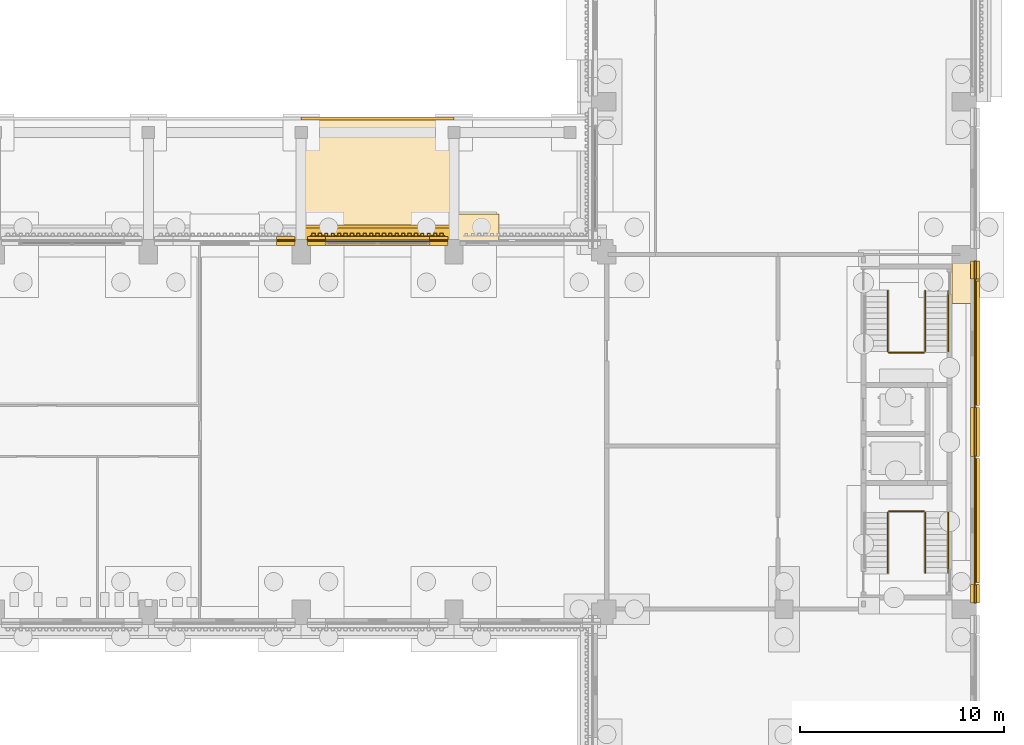
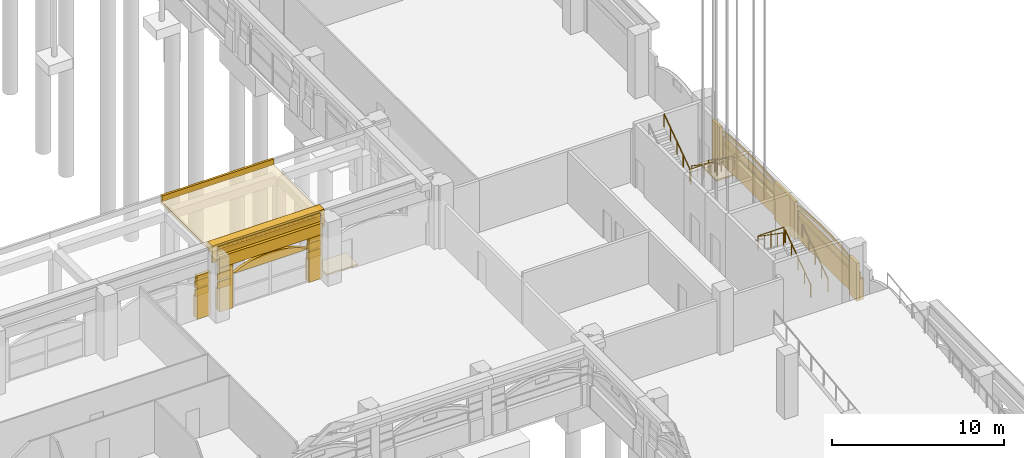
# One storey, part 85 of 99: 35 coverings, 8 railings, 1 element without a shape of its own.
"""IFC4 building model written with IfcOpenShell, lengths in metres."""

import ifcopenshell
import ifcopenshell.guid

model = None  # the IFC model being written
_history = None  # IfcOwnerHistory: only IFC2X3 demands one
_inside = {}  # id of a spatial element -> (the spatial element, [elements in it])
_under = {}  # id of a project, library or spatial element -> (it, [spatial elements below it])
_declared = {}  # id of a project -> (the project, [libraries it declares])
_typed = {}  # id of a type object -> (the type object, [elements of that type])
_made_of = {}  # id of a material, layer set ... -> (it, [elements and type objects made of it])


def new_model(schema):
    """Start an empty IFC model of exactly this schema.

    Asked for "IFC4X3", IfcOpenShell would pick the latest addendum, in which some entities
    have other attributes; the version numbers below select the first issue.
    IFC2X3 requires an IfcOwnerHistory on every rooted entity: one is made here for all.
    """
    global model, _history
    if schema == "IFC4X3":
        model = ifcopenshell.file(schema_version=(4, 3, 0, 0))
    else:
        model = ifcopenshell.file(schema=schema)
    _inside.clear()
    _under.clear()
    _declared.clear()
    _typed.clear()
    _made_of.clear()
    _history = None
    if model.schema == "IFC2X3":
        org = make("IfcOrganization", Name="unknown")
        user = make(
            "IfcPersonAndOrganization",
            ThePerson=make("IfcPerson", FamilyName="unknown"),
            TheOrganization=org,
        )
        app = make(
            "IfcApplication",
            ApplicationDeveloper=org,
            Version="unknown",
            ApplicationFullName="unknown",
            ApplicationIdentifier="unknown",
        )
        _history = make(
            "IfcOwnerHistory",
            OwningUser=user,
            OwningApplication=app,
            ChangeAction="ADDED",
            CreationDate=0,
        )
    return model


def make(cls, **values):
    """One entity of the class cls with the attributes given. An attribute that is None is left unset."""
    return model.create_entity(
        cls, **{name: value for name, value in values.items() if value is not None}
    )


def rooted(cls, **values):
    """An entity with a GlobalId (a new one), such as an element, a storey or a relation."""
    return make(cls, GlobalId=ifcopenshell.guid.new(), OwnerHistory=_history, **values)


def si_unit(unit_type, name, prefix=None):
    """IfcSIUnit, for example si_unit("LENGTHUNIT", "METRE", prefix="MILLI")."""
    return make("IfcSIUnit", UnitType=unit_type, Prefix=prefix, Name=name)


def assignment(units):
    """IfcUnitAssignment: the units of a project."""
    return None if units is None else make("IfcUnitAssignment", Units=units)


def point(xyz):
    """IfcCartesianPoint."""
    return None if xyz is None else make("IfcCartesianPoint", Coordinates=xyz)


def direction(xyz):
    """IfcDirection."""
    return None if xyz is None else make("IfcDirection", DirectionRatios=xyz)


def frame(location, z_axis=None, x_axis=None):
    """IfcAxis2Placement3D, a coordinate frame: its origin and axes. An axis left out is left unset."""
    return make(
        "IfcAxis2Placement3D",
        Location=point(location),
        Axis=direction(z_axis),
        RefDirection=direction(x_axis),
    )


def frame_2d(location, x_axis=None):
    """IfcAxis2Placement2D, a coordinate frame in the plane: its origin and x axis."""
    return make(
        "IfcAxis2Placement2D", Location=point(location), RefDirection=direction(x_axis)
    )


def origin():
    """The frame at (0, 0, 0) with its axes left unset."""
    return frame((0.0, 0.0, 0.0))


def origin_2d():
    """The frame at (0, 0) in the plane with its x axis left unset."""
    return frame_2d((0.0, 0.0))


def place(relative_to, where):
    """IfcLocalPlacement: puts the frame where relative to a parent placement (None: the world)."""
    return make(
        "IfcLocalPlacement", PlacementRelTo=relative_to, RelativePlacement=where
    )


def context(
    kind, dimensions, precision=None, world=None, true_north=None, identifier=None
):
    """IfcGeometricRepresentationContext, for example the 3D "Model" context."""
    return make(
        "IfcGeometricRepresentationContext",
        ContextIdentifier=identifier,
        ContextType=kind,
        CoordinateSpaceDimension=dimensions,
        Precision=precision,
        WorldCoordinateSystem=world,
        TrueNorth=true_north,
    )


def subcontext(parent, identifier, kind, view, scale=None):
    """IfcGeometricRepresentationSubContext, for example "Body" below "Model"."""
    return make(
        "IfcGeometricRepresentationSubContext",
        ContextIdentifier=identifier,
        ContextType=kind,
        ParentContext=parent,
        TargetScale=scale,
        TargetView=view,
    )


def project(units=None, contexts=None):
    """IfcProject with its units and contexts."""
    return rooted(
        "IfcProject",
        Name="project",
        RepresentationContexts=contexts,
        UnitsInContext=assignment(units),
    )


def spatial(cls, under=None, at=None, **own):
    """A site, building, storey or space (cls), placed at a placement, below another one or the project."""
    s = rooted(cls, ObjectPlacement=at, **own)
    if under is not None:
        _under.setdefault(under.id(), (under, []))[1].append(s)
    return s


def polyline(points):
    """IfcPolyline through the points."""
    return make("IfcPolyline", Points=[point(p) for p in points])


def profile(cls, at=None, kind="AREA", **sizes):
    """A parametric profile (cls). Its sizes go by their IFC names, for example OverallWidth=200.0."""
    return make(cls, ProfileType=kind, Position=at, **sizes)


def circle(**sizes):
    """IfcCircleProfileDef."""
    return profile("IfcCircleProfileDef", **sizes)


def outline(outer, holes=None, kind="AREA"):
    """IfcArbitraryClosedProfileDef: a profile drawn as a closed curve; with holes, ...WithVoids."""
    if holes is None:
        return make("IfcArbitraryClosedProfileDef", ProfileType=kind, OuterCurve=outer)
    return make(
        "IfcArbitraryProfileDefWithVoids",
        ProfileType=kind,
        OuterCurve=outer,
        InnerCurves=holes,
    )


def extrude(swept, where, along, depth):
    """IfcExtrudedAreaSolid: the profile swept, set in the frame where, extruded along a direction by depth."""
    return make(
        "IfcExtrudedAreaSolid",
        SweptArea=swept,
        Position=where,
        ExtrudedDirection=direction(along),
        Depth=depth,
    )


def shape(context_of_items, identifier, shape_type, items):
    """IfcShapeRepresentation: the items that make up one representation, for example the "Body"."""
    return make(
        "IfcShapeRepresentation",
        ContextOfItems=context_of_items,
        RepresentationIdentifier=identifier,
        RepresentationType=shape_type,
        Items=items,
    )


def material(Name=None, Category=None):
    """IfcMaterial."""
    return make("IfcMaterial", Name=Name, Category=Category)


def layer(
    of_material, thickness, ventilated=None, Name=None, Category=None, Priority=None
):
    """IfcMaterialLayer: one layer of a wall or slab, of a material (None: an air gap)."""
    return make(
        "IfcMaterialLayer",
        Material=of_material,
        LayerThickness=thickness,
        IsVentilated=ventilated,
        Name=Name,
        Category=Category,
        Priority=Priority,
    )


def layer_set(layers, Name=None):
    """IfcMaterialLayerSet."""
    return make("IfcMaterialLayerSet", MaterialLayers=layers, LayerSetName=Name)


def made_of(thing, what):
    """Note that an element or type object is made of a material, layer set ...; save() writes the relation."""
    if what is not None:
        _made_of.setdefault(what.id(), (what, []))[1].append(thing)
    return thing


def type_object(cls, material=None, **own):
    """A type object (cls), such as IfcWallType, which elements share."""
    return made_of(rooted(cls, **own), material)


def element(
    cls,
    number,
    at=None,
    inside=None,
    cuts=None,
    type_object=None,
    material=None,
    context=None,
    identifier="Body",
    shape_type=None,
    held_by="IfcProductDefinitionShape",
    body=None,
    shapes=None,
    **own,
):
    """One element of the class cls, such as IfcWall. Its Tag is "e" and its number.

    at: its placement. inside: the storey or other place that contains it. cuts: it is an
    opening in that element (IfcRelVoidsElement). A single representation is given by context,
    identifier, shape_type and body (its items); several are given by shapes. held_by: the class
    of the entity that holds the representations. save() writes the other relations.
    """
    e = rooted(cls, Tag="e%d" % number, ObjectPlacement=at, **own)
    if body is not None:
        shapes = [shape(context, identifier, shape_type, body)]
    if shapes is not None:
        e.Representation = make(held_by, Representations=shapes)
    if inside is not None:
        _inside.setdefault(inside.id(), (inside, []))[1].append(e)
    if cuts is not None:
        rooted(
            "IfcRelVoidsElement", RelatingBuildingElement=cuts, RelatedOpeningElement=e
        )
    if type_object is not None:
        _typed.setdefault(type_object.id(), (type_object, []))[1].append(e)
    return made_of(e, material)


def aggregate(whole, parts):
    """IfcRelAggregates: a whole, such as a stair, and the parts it consists of."""
    return rooted("IfcRelAggregates", RelatingObject=whole, RelatedObjects=parts)


def save(model, path):
    """Write the relations noted so far, then the file.

    IfcRelAggregates (storeys below a building ...), IfcRelContainedInSpatialStructure (elements
    in a storey), IfcRelDefinesByType, IfcRelAssociatesMaterial and IfcRelDeclares: one each for
    every whole, place, type object, material and project.
    """
    for whole, parts in _under.values():
        aggregate(whole, parts)
    for where, things in _inside.values():
        rooted(
            "IfcRelContainedInSpatialStructure",
            RelatedElements=things,
            RelatingStructure=where,
        )
    for kind, things in _typed.values():
        rooted("IfcRelDefinesByType", RelatedObjects=things, RelatingType=kind)
    for what, things in _made_of.values():
        rooted("IfcRelAssociatesMaterial", RelatedObjects=things, RelatingMaterial=what)
    for by, libraries in _declared.values():
        rooted("IfcRelDeclares", RelatingContext=by, RelatedDefinitions=libraries)
    model.write(path)


model = new_model("IFC4")

# Units and contexts
model_context = context("Model", 3, precision=1e-05, world=origin(), true_north=direction((0.0, 1.0)))
body_context = subcontext(model_context, "Body", "Model", "MODEL_VIEW")
ifc_project = project(units=[si_unit("LENGTHUNIT", "METRE"), si_unit("AREAUNIT", "SQUARE_METRE"), si_unit("VOLUMEUNIT", "CUBIC_METRE"), si_unit("PLANEANGLEUNIT", "RADIAN"), si_unit("MASSUNIT", "GRAM", prefix="KILO")], contexts=[model_context])

# Site, building, storey
site_placement = place(None, origin())
site = spatial("IfcSite", under=ifc_project, at=site_placement, CompositionType="ELEMENT")
building_placement = place(site_placement, origin())
building = spatial("IfcBuilding", under=site, at=building_placement, Name="Cour d'Honneur Mobility Palace", CompositionType="ELEMENT")
storey_placement = place(building_placement, origin())
storey = spatial("IfcBuildingStorey", under=building, at=storey_placement, Name="L00", CompositionType="ELEMENT", Elevation=0.0)

# Roof, coverings
ifc_material_1 = material(Name="Concrete C50", Category="concrete")
ifc_layer_1 = layer(ifc_material_1, 0.199951171875)
ifc_layer_set_1 = layer_set([ifc_layer_1], Name="Concrete C50")
roof_type = type_object("IfcRoofType", Name="Arcade canopy", PredefinedType="FLAT_ROOF", material=ifc_layer_set_1)
roof_placement = place(storey_placement, origin())
roof = element("IfcRoof", 1, at=roof_placement, inside=storey, type_object=roof_type, Name="Arcade canopy E", PredefinedType="FLAT_ROOF")
ifc_material_2 = material(Name="Concrete C50", Category="concrete")
ifc_layer_2 = layer(ifc_material_2, 0.199951171875)
ifc_layer_set_2 = layer_set([ifc_layer_2], Name="Concrete C50")
covering_type_1 = type_object("IfcCoveringType", Name="Arcade canopy slab 200", PredefinedType="ROOFING", material=ifc_layer_set_2)
covering_1_placement = place(storey_placement, frame((0.0, 0.0, 4.0)))
covering_1 = element("IfcCovering", 2, at=covering_1_placement, type_object=covering_type_1, Name="Arcade canopy slab AS-E5", PredefinedType="ROOFING", context=body_context, shape_type="SweptSolid", body=[
    extrude(outline(polyline([(129.89990234375, 63.14990234375), (137.39990234375, 63.14990234375), (137.39990234375, 69.14990234375), (129.89990234375, 69.14990234375), (129.89990234375, 63.14990234375)])), origin(), (0.0, 0.0, 1.0), 0.199951171875),
])
ifc_material_3 = material(Name="Concrete C50", Category="concrete")
ifc_layer_3 = layer(ifc_material_3, 0.14990234375)
ifc_layer_set_3 = layer_set([ifc_layer_3], Name="Concrete C50")
covering_type_2 = type_object("IfcCoveringType", Name="Arcade parapet 400", PredefinedType="CLADDING", material=ifc_layer_set_3)
covering_2_placement = place(storey_placement, frame((0.0, 0.0, 4.199951171875)))
covering_2 = element("IfcCovering", 3, at=covering_2_placement, type_object=covering_type_2, Name="Arcade parapet AP-E5", PredefinedType="CLADDING", context=body_context, shape_type="SweptSolid", body=[
    extrude(outline(polyline([(129.89990234375, 69.0), (137.39990234375, 69.0), (137.39990234375, 69.14990234375), (129.89990234375, 69.14990234375), (129.89990234375, 69.0)])), origin(), (0.0, 0.0, 1.0), 0.400146484375),
])
aggregate(roof, [covering_1, covering_2])

# Coverings
ifc_material_4 = material(Name="Cast limestone", Category="masonry")
ifc_layer_4 = layer(ifc_material_4, 0.050048828125)
ifc_layer_set_4 = layer_set([ifc_layer_4], Name="Cast limestone")
covering_type_3 = type_object("IfcCoveringType", Name="Arch hood", PredefinedType="CLADDING", material=ifc_layer_set_4)
covering_3_placement = place(storey_placement, frame((163.0, 46.199951171875, 2.179931640625), z_axis=(1.0, 0.0, 0.0), x_axis=(0.0, 0.989021640931, 0.147770747343)))
element("IfcCovering", 4, at=covering_3_placement, inside=storey, type_object=covering_type_3, Name="Arch hood AH-36", PredefinedType="CLADDING", context=body_context, shape_type="SweptSolid", body=[
    extrude(outline(polyline([(0.0, 0.0), (0.3981700822586031, 0.0), (0.7951857055535886, -0.007726731569772757), (1.1910107930423435, -0.023421655070873654), (1.585403884363312, -0.04704869366068967), (1.9789200539248315, -0.07819708030133607), (2.3712817645227338, -0.11707219851175524), (2.7624529393144046, -0.16391550865350255), (3.1525057319850713, -0.2182440900034672), (3.5411626053305647, -0.28026332608059157), (3.9289425569166094, -0.3498039102085464), (4.315531972696423, -0.42731268626782937), (4.700966929512619, -0.512548193896885), (5.08528350420781, -0.605268972734158), (5.4681680827352155, -0.7059218666601461), (5.850103585817947, -0.8145790293600754), (6.2308846299370595, -0.9309629236297775), (6.263389865131418, -0.7134071378683634), (5.882644897854918, -0.5967817832371061), (5.500673317929575, -0.488366080898732), (5.11778873940217, -0.387713186972744), (4.7335082415495915, -0.2947509477739155), (4.348037207890782, -0.20975690050641527), (3.961447792110968, -0.1322481244471323), (3.573667840524924, -0.06270754031917747), (3.18501096717943, -0.0006883042420531282), (2.7949581745087637, 0.05364027710791153), (2.4037869997170924, 0.10048358724965883), (2.0114252891191904, 0.139358705460078), (1.6179451964002838, 0.17074855246227982), (1.2235160282367024, 0.19413413069054042), (0.8276909407479474, 0.20982905419164133), (0.430711394295575, 0.21779724612296947), (0.03250523519435883, 0.21755578576141407), (0.0, 0.0)])), origin(), (0.0, 0.0, -1.0), 0.050048828125),
])
covering_4_placement = place(storey_placement, frame((163.0, 54.89990234375, 2.179931640625), z_axis=(1.0, 0.0, 0.0), x_axis=(0.0, 0.989021640931, 0.147770747343)))
element("IfcCovering", 5, at=covering_4_placement, inside=storey, type_object=covering_type_3, Name="Arch hood AH-37", PredefinedType="CLADDING", context=body_context, shape_type="SweptSolid", body=[
    extrude(outline(polyline([(0.0, 0.0), (0.3981700822586031, 0.0), (0.7951857055535886, -0.007726731569772757), (1.1910107930423435, -0.023421655070873654), (1.5856453447248675, -0.04708477050330273), (1.9789200539248315, -0.07819708030133607), (2.3712817645227338, -0.11707219851175524), (2.7624529393144046, -0.16391550865350255), (3.1525057319850713, -0.2182440900034672), (3.54140406569212, -0.28029940292320465), (3.9289425569166094, -0.3498039102085464), (4.315531972696423, -0.42731268626782937), (4.700966929512619, -0.512548193896885), (5.08528350420781, -0.605268972734158), (5.468409543096771, -0.7059579435027592), (5.850103585817947, -0.8145790293600754), (6.2308846299370595, -0.9309629236297775), (6.263389865131418, -0.7134071378683634), (5.882644897854918, -0.5967817832371061), (5.500914778291131, -0.4884021577413451), (5.11778873940217, -0.387713186972744), (4.7335082415495915, -0.2947509477739155), (4.348037207890782, -0.20975690050641527), (3.961447792110968, -0.1322481244471323), (3.5739093008864793, -0.06274361716179055), (3.18501096717943, -0.0006883042420531282), (2.7949581745087637, 0.05364027710791153), (2.4037869997170924, 0.10048358724965883), (2.0114252891191904, 0.139358705460078), (1.6181866567618393, 0.17071247561966676), (1.2235160282367024, 0.19413413069054042), (0.8276909407479474, 0.20982905419164133), (0.430711394295575, 0.21779724612296947), (0.03250523519435883, 0.21755578576141407), (0.0, 0.0)])), origin(), (0.0, 0.0, -1.0), 0.050048828125),
])
ifc_material_5 = material(Name="Cast limestone", Category="masonry")
ifc_layer_5 = layer(ifc_material_5, 0.199951171875)
ifc_layer_set_5 = layer_set([ifc_layer_5], Name="Cast limestone")
covering_type_4 = type_object("IfcCoveringType", Name="Arch tympanum panel", PredefinedType="CLADDING", material=ifc_layer_set_5)
covering_5_placement = place(storey_placement, frame((136.199951171875, 63.050048828125, 2.39990234375), z_axis=(0.0, 1.0, 0.0), x_axis=(-1.0, 0.0, 0.0)))
element("IfcCovering", 6, at=covering_5_placement, inside=storey, type_object=covering_type_4, Name="Arch tympanum panel TP-7", PredefinedType="CLADDING", context=body_context, shape_type="SweptSolid", body=[
    extrude(outline(polyline([(0.0, 0.0), (5.099853515625, 0.0), (5.099853515625, 0.0), (4.78125, 0.160400390625), (4.46240234375, 0.294921875), (4.143798828125, 0.406005859375), (3.824951171875, 0.495361328125), (3.506103515625, 0.5634765625), (3.1875, 0.61181640625), (2.86865234375, 0.640625), (2.550048828125, 0.650146484375), (2.231201171875, 0.640625), (1.912353515625, 0.61181640625), (1.59375, 0.5634765625), (1.27490234375, 0.495361328125), (0.956298828125, 0.406005859375), (0.637451171875, 0.294921875), (0.318603515625, 0.160400390625), (0.0, 0.0), (0.0, 0.0)])), origin(), (0.0, 0.0, -1.0), 0.199951171875),
])
ifc_material_6 = material(Name="Cast limestone", Category="masonry")
ifc_layer_6 = layer(ifc_material_6, 0.14990234375)
ifc_layer_set_6 = layer_set([ifc_layer_6], Name="Cast limestone")
covering_type_5 = type_object("IfcCoveringType", Name="Dentil course", PredefinedType="CLADDING", material=ifc_layer_set_6)
covering_6_placement = place(storey_placement, frame((0.0, 0.0, 3.949951171875)))
element("IfcCovering", 7, at=covering_6_placement, inside=storey, type_object=covering_type_5, Name="Dentil course DC-39", PredefinedType="CLADDING", context=body_context, shape_type="SweptSolid", body=[
    extrude(outline(polyline([(136.949951171875, 63.300048828125), (130.35009765625, 63.300048828125), (130.35009765625, 63.330078125), (130.35009765625, 63.330078125), (130.428466796875, 63.330078125), (130.428466796875, 63.449951171875), (130.585693359375, 63.449951171875), (130.585693359375, 63.330078125), (130.664306640625, 63.330078125), (130.664306640625, 63.330078125), (130.742919921875, 63.330078125), (130.742919921875, 63.449951171875), (130.89990234375, 63.449951171875), (130.89990234375, 63.330078125), (130.978515625, 63.330078125), (130.978515625, 63.330078125), (131.05712890625, 63.330078125), (131.05712890625, 63.449951171875), (131.21435546875, 63.449951171875), (131.21435546875, 63.330078125), (131.29296875, 63.330078125), (131.29296875, 63.330078125), (131.371337890625, 63.330078125), (131.371337890625, 63.449951171875), (131.528564453125, 63.449951171875), (131.528564453125, 63.330078125), (131.607177734375, 63.330078125), (131.607177734375, 63.330078125), (131.685791015625, 63.330078125), (131.685791015625, 63.449951171875), (131.8427734375, 63.449951171875), (131.8427734375, 63.330078125), (131.92138671875, 63.330078125), (131.92138671875, 63.330078125), (132.0, 63.330078125), (132.0, 63.449951171875), (132.1572265625, 63.449951171875), (132.1572265625, 63.330078125), (132.235595703125, 63.330078125), (132.235595703125, 63.330078125), (132.314208984375, 63.330078125), (132.314208984375, 63.449951171875), (132.471435546875, 63.449951171875), (132.471435546875, 63.330078125), (132.550048828125, 63.330078125), (132.550048828125, 63.330078125), (132.628662109375, 63.330078125), (132.628662109375, 63.449951171875), (132.78564453125, 63.449951171875), (132.78564453125, 63.330078125), (132.8642578125, 63.330078125), (132.8642578125, 63.330078125), (132.94287109375, 63.330078125), (132.94287109375, 63.449951171875), (133.10009765625, 63.449951171875), (133.10009765625, 63.330078125), (133.178466796875, 63.330078125), (133.178466796875, 63.330078125), (133.257080078125, 63.330078125), (133.257080078125, 63.449951171875), (133.414306640625, 63.449951171875), (133.414306640625, 63.330078125), (133.492919921875, 63.330078125), (133.492919921875, 63.330078125), (133.571533203125, 63.330078125), (133.571533203125, 63.449951171875), (133.728515625, 63.449951171875), (133.728515625, 63.330078125), (133.80712890625, 63.330078125), (133.80712890625, 63.330078125), (133.8857421875, 63.330078125), (133.8857421875, 63.449951171875), (134.04296875, 63.449951171875), (134.04296875, 63.330078125), (134.121337890625, 63.330078125), (134.121337890625, 63.330078125), (134.199951171875, 63.330078125), (134.199951171875, 63.449951171875), (134.357177734375, 63.449951171875), (134.357177734375, 63.330078125), (134.435791015625, 63.330078125), (134.435791015625, 63.330078125), (134.514404296875, 63.330078125), (134.514404296875, 63.449951171875), (134.67138671875, 63.449951171875), (134.67138671875, 63.330078125), (134.75, 63.330078125), (134.75, 63.330078125), (134.82861328125, 63.330078125), (134.82861328125, 63.449951171875), (134.985595703125, 63.449951171875), (134.985595703125, 63.330078125), (135.064208984375, 63.330078125), (135.064208984375, 63.330078125), (135.142822265625, 63.330078125), (135.142822265625, 63.449951171875), (135.300048828125, 63.449951171875), (135.300048828125, 63.330078125), (135.378662109375, 63.330078125), (135.378662109375, 63.330078125), (135.45703125, 63.330078125), (135.45703125, 63.449951171875), (135.6142578125, 63.449951171875), (135.6142578125, 63.330078125), (135.69287109375, 63.330078125), (135.69287109375, 63.330078125), (135.771484375, 63.330078125), (135.771484375, 63.449951171875), (135.928466796875, 63.449951171875), (135.928466796875, 63.330078125), (136.007080078125, 63.330078125), (136.007080078125, 63.330078125), (136.085693359375, 63.330078125), (136.085693359375, 63.449951171875), (136.242919921875, 63.449951171875), (136.242919921875, 63.330078125), (136.321533203125, 63.330078125), (136.321533203125, 63.330078125), (136.39990234375, 63.330078125), (136.39990234375, 63.449951171875), (136.55712890625, 63.449951171875), (136.55712890625, 63.330078125), (136.6357421875, 63.330078125), (136.6357421875, 63.330078125), (136.71435546875, 63.330078125), (136.71435546875, 63.449951171875), (136.871337890625, 63.449951171875), (136.871337890625, 63.330078125), (136.949951171875, 63.330078125), (136.949951171875, 63.300048828125)])), origin(), (0.0, 0.0, 1.0), 0.150146484375),
])
ifc_material_7 = material(Name="Cast limestone", Category="masonry")
ifc_layer_7 = layer(ifc_material_7, 0.699951171875)
ifc_layer_set_7 = layer_set([ifc_layer_7], Name="Cast limestone")
covering_type_6 = type_object("IfcCoveringType", Name="Entablature", PredefinedType="CLADDING", material=ifc_layer_set_7)
covering_7_placement = place(storey_placement, frame((137.39990234375, 63.14990234375, 3.39990234375), z_axis=(1.0, 0.0, 0.0), x_axis=(0.0, 1.0, 0.0)))
element("IfcCovering", 8, at=covering_7_placement, inside=storey, type_object=covering_type_6, Name="Entablature EN-39", PredefinedType="CLADDING", context=body_context, shape_type="SweptSolid", body=[
    extrude(outline(polyline([(0.0, 0.0), (0.150146484375, 0.0), (0.150146484375, 0.7001953125), (0.7001953125, 0.7001953125), (0.7001953125, 1.10009765625), (0.550048828125, 1.2001953125), (0.0, 1.2001953125), (0.0, 0.0)])), origin(), (0.0, 0.0, -1.0), 7.5),
])
ifc_material_8 = material(Name="Granite paving", Category="masonry")
ifc_layer_8 = layer(ifc_material_8, 0.10009765625)
ifc_layer_set_8 = layer_set([ifc_layer_8], Name="Granite paving")
covering_type_7 = type_object("IfcCoveringType", Name="Entrance paving", PredefinedType="FLOORING", material=ifc_layer_set_8)
covering_8_placement = place(storey_placement, frame((0.0, 0.0, -0.10009765625)))
element("IfcCovering", 9, at=covering_8_placement, inside=storey, type_object=covering_type_7, Name="Entrance paving PV-14", PredefinedType="FLOORING", context=body_context, shape_type="SweptSolid", body=[
    extrude(outline(polyline([(139.60009765625, 63.050048828125), (137.5, 63.050048828125), (137.5, 64.39990234375), (139.60009765625, 64.39990234375), (139.60009765625, 63.050048828125)])), origin(), (0.0, 0.0, 1.0), 0.10009765625),
])
covering_9_placement = place(storey_placement, frame((0.0, 0.0, -0.10009765625)))
element("IfcCovering", 10, at=covering_9_placement, inside=storey, type_object=covering_type_7, Name="Entrance paving PV-32", PredefinedType="FLOORING", context=body_context, shape_type="SweptSolid", body=[
    extrude(outline(polyline([(161.85009765625, 60.0), (163.199951171875, 60.0), (163.199951171875, 62.0), (161.85009765625, 62.0), (161.85009765625, 60.0)])), origin(), (0.0, 0.0, 1.0), 0.10009765625),
])

# Railings
ifc_material_9 = material(Name="Painted steel", Category="steel")
railing_type_1 = type_object("IfcRailingType", Name="Guardrail 1100", PredefinedType="GUARDRAIL", material=ifc_material_9)
for number, where, name in (
    (11, (158.75, 49.804931640625, 2.25), "Landing guard ST-CE1"),
    (12, (158.75, 57.594970703125, 2.25), "Landing guard ST-CE2"),
):
    element("IfcRailing", number, at=place(storey_placement, frame(where)), inside=storey, type_object=railing_type_1, Name=name, PredefinedType="GUARDRAIL", context=body_context, shape_type="SweptSolid", body=[
        extrude(circle(Radius=0.02490234375, at=origin_2d()), frame((0.0, 0.0, 1.0751953125), z_axis=(1.0, 0.0, 0.0), x_axis=(0.0, 1.0, 0.0)), (0.0, 0.0, 1.0), 1.72509765625),
        extrude(circle(Radius=0.02099609375, at=origin_2d()), origin(), (0.0, 0.0, 1.0), 1.050048828125),
        extrude(circle(Radius=0.02099609375, at=origin_2d()), frame((0.862548828125, 0.0, 0.0)), (0.0, 0.0, 1.0), 1.050048828125),
        extrude(circle(Radius=0.02099609375, at=origin_2d()), frame((1.72509765625, 0.0, 0.0)), (0.0, 0.0, 1.0), 1.050048828125),
    ])
ifc_material_10 = material(Name="Stainless steel", Category="steel")
railing_type_2 = type_object("IfcRailingType", Name="Handrail round 50", PredefinedType="HANDRAIL", material=ifc_material_10)
for number, where, name in (
    (13, (161.675048828125, 46.77490234375, 0.1875), "Handrail ST-CE1"),
    (14, (160.52490234375, 46.77490234375, 0.1875), "Handrail ST-CE1"),
):
    element("IfcRailing", number, at=place(storey_placement, frame(where)), inside=storey, type_object=railing_type_2, Name=name, PredefinedType="HANDRAIL", context=body_context, shape_type="SweptSolid", body=[
        extrude(circle(Radius=0.02490234375, at=origin_2d()), frame((0.0, 0.0, 0.89501953125), z_axis=(0.0, 0.821389295411, 0.570367973667), x_axis=(-1.0, 0.0, 0.0)), (0.0, 0.0, 1.0), 3.615966796875),
        extrude(circle(Radius=0.02099609375, at=origin_2d()), origin(), (0.0, 0.0, 1.0), 0.869873046875),
        extrude(circle(Radius=0.02099609375, at=origin_2d()), frame((0.0, 0.74267578125, 0.515625)), (0.0, 0.0, 1.0), 0.869873046875),
        extrude(circle(Radius=0.02099609375, at=origin_2d()), frame((0.0, 1.485107421875, 1.03125)), (0.0, 0.0, 1.0), 0.869873046875),
        extrude(circle(Radius=0.02099609375, at=origin_2d()), frame((0.0, 2.2275390625, 1.546875)), (0.0, 0.0, 1.0), 0.869873046875),
        extrude(circle(Radius=0.02099609375, at=origin_2d()), frame((0.0, 2.97021484375, 2.0625)), (0.0, 0.0, 1.0), 0.869873046875),
    ])
railing_1_placement = place(storey_placement, frame((158.699951171875, 49.7451171875, 2.4375)))
element("IfcRailing", 15, at=railing_1_placement, inside=storey, type_object=railing_type_2, Name="Handrail ST-CE1", PredefinedType="HANDRAIL", context=body_context, shape_type="SweptSolid", body=[
    extrude(circle(Radius=0.02490234375, at=origin_2d()), frame((0.0, 0.0, 0.89501953125), z_axis=(0.0, -0.821389295411, 0.570367973667), x_axis=(1.0, 0.0, 0.0)), (0.0, 0.0, 1.0), 3.615966796875),
    extrude(circle(Radius=0.02099609375, at=origin_2d()), origin(), (0.0, 0.0, 1.0), 0.869873046875),
    extrude(circle(Radius=0.02099609375, at=origin_2d()), frame((0.0, -0.74267578125, 0.515625)), (0.0, 0.0, 1.0), 0.869873046875),
    extrude(circle(Radius=0.02099609375, at=origin_2d()), frame((0.0, -1.485107421875, 1.03125)), (0.0, 0.0, 1.0), 0.869873046875),
    extrude(circle(Radius=0.02099609375, at=origin_2d()), frame((0.0, -2.2275390625, 1.546875)), (0.0, 0.0, 1.0), 0.869873046875),
    extrude(circle(Radius=0.02099609375, at=origin_2d()), frame((0.0, -2.97021484375, 2.0625)), (0.0, 0.0, 1.0), 0.869873046875),
])
for number, where, name in (
    (16, (161.675048828125, 60.625, 0.1875), "Handrail ST-CE2"),
    (17, (160.52490234375, 60.625, 0.1875), "Handrail ST-CE2"),
):
    element("IfcRailing", number, at=place(storey_placement, frame(where)), inside=storey, type_object=railing_type_2, Name=name, PredefinedType="HANDRAIL", context=body_context, shape_type="SweptSolid", body=[
        extrude(circle(Radius=0.02490234375, at=origin_2d()), frame((0.0, 0.0, 0.89501953125), z_axis=(0.0, -0.821367329581, 0.57039960545), x_axis=(1.0, 0.0, 0.0)), (0.0, 0.0, 1.0), 3.615966796875),
        extrude(circle(Radius=0.02099609375, at=origin_2d()), origin(), (0.0, 0.0, 1.0), 0.869873046875),
        extrude(circle(Radius=0.02099609375, at=origin_2d()), frame((0.0, -0.742431640625, 0.515625)), (0.0, 0.0, 1.0), 0.869873046875),
        extrude(circle(Radius=0.02099609375, at=origin_2d()), frame((0.0, -1.48486328125, 1.03125)), (0.0, 0.0, 1.0), 0.869873046875),
        extrude(circle(Radius=0.02099609375, at=origin_2d()), frame((0.0, -2.2275390625, 1.546875)), (0.0, 0.0, 1.0), 0.869873046875),
        extrude(circle(Radius=0.02099609375, at=origin_2d()), frame((0.0, -2.969970703125, 2.0625)), (0.0, 0.0, 1.0), 0.869873046875),
    ])
railing_2_placement = place(storey_placement, frame((158.699951171875, 57.655029296875, 2.4375)))
element("IfcRailing", 18, at=railing_2_placement, inside=storey, type_object=railing_type_2, Name="Handrail ST-CE2", PredefinedType="HANDRAIL", context=body_context, shape_type="SweptSolid", body=[
    extrude(circle(Radius=0.02490234375, at=origin_2d()), frame((0.0, 0.0, 0.89501953125), z_axis=(0.0, 0.821367329581, 0.57039960545), x_axis=(-1.0, 0.0, 0.0)), (0.0, 0.0, 1.0), 3.615966796875),
    extrude(circle(Radius=0.02099609375, at=origin_2d()), origin(), (0.0, 0.0, 1.0), 0.869873046875),
    extrude(circle(Radius=0.02099609375, at=origin_2d()), frame((0.0, 0.742431640625, 0.515625)), (0.0, 0.0, 1.0), 0.869873046875),
    extrude(circle(Radius=0.02099609375, at=origin_2d()), frame((0.0, 1.48486328125, 1.03125)), (0.0, 0.0, 1.0), 0.869873046875),
    extrude(circle(Radius=0.02099609375, at=origin_2d()), frame((0.0, 2.2275390625, 1.546875)), (0.0, 0.0, 1.0), 0.869873046875),
    extrude(circle(Radius=0.02099609375, at=origin_2d()), frame((0.0, 2.969970703125, 2.0625)), (0.0, 0.0, 1.0), 0.869873046875),
])

# Coverings
ifc_material_11 = material(Name="Cast limestone", Category="masonry")
ifc_layer_9 = layer(ifc_material_11, 0.25)
ifc_layer_set_9 = layer_set([ifc_layer_9], Name="Cast limestone")
covering_type_8 = type_object("IfcCoveringType", Name="Plinth course", PredefinedType="CLADDING", material=ifc_layer_set_9)
covering_10_placement = place(storey_placement, origin())
element("IfcCovering", 19, at=covering_10_placement, inside=storey, type_object=covering_type_8, Name="Plinth course PI-107", PredefinedType="CLADDING", context=body_context, shape_type="SweptSolid", body=[
    extrude(outline(polyline([(162.949951171875, 45.300048828125), (162.949951171875, 46.199951171875), (163.199951171875, 46.199951171875), (163.199951171875, 45.300048828125), (162.949951171875, 45.300048828125)])), origin(), (0.0, 0.0, 1.0), 1.5),
])
covering_11_placement = place(storey_placement, origin())
element("IfcCovering", 20, at=covering_11_placement, inside=storey, type_object=covering_type_8, Name="Plinth course PI-108", PredefinedType="CLADDING", context=body_context, shape_type="SweptSolid", body=[
    extrude(outline(polyline([(162.949951171875, 52.5), (162.949951171875, 54.89990234375), (163.199951171875, 54.89990234375), (163.199951171875, 52.5), (162.949951171875, 52.5)])), origin(), (0.0, 0.0, 1.0), 1.5),
])
covering_12_placement = place(storey_placement, origin())
element("IfcCovering", 21, at=covering_12_placement, inside=storey, type_object=covering_type_8, Name="Plinth course PI-109", PredefinedType="CLADDING", context=body_context, shape_type="SweptSolid", body=[
    extrude(outline(polyline([(162.949951171875, 61.199951171875), (162.949951171875, 62.10009765625), (163.199951171875, 62.10009765625), (163.199951171875, 61.199951171875), (162.949951171875, 61.199951171875)])), origin(), (0.0, 0.0, 1.0), 1.5),
])
covering_13_placement = place(storey_placement, origin())
element("IfcCovering", 22, at=covering_13_placement, inside=storey, type_object=covering_type_8, Name="Plinth course PI-110", PredefinedType="CLADDING", context=body_context, shape_type="SweptSolid", body=[
    extrude(outline(polyline([(162.949951171875, 46.300048828125), (162.949951171875, 52.39990234375), (163.199951171875, 52.39990234375), (163.199951171875, 46.300048828125), (162.949951171875, 46.300048828125)])), origin(), (0.0, 0.0, 1.0), 1.5),
])
covering_14_placement = place(storey_placement, origin())
element("IfcCovering", 23, at=covering_14_placement, inside=storey, type_object=covering_type_8, Name="Plinth course PI-111", PredefinedType="CLADDING", context=body_context, shape_type="SweptSolid", body=[
    extrude(outline(polyline([(162.949951171875, 55.0), (162.949951171875, 61.10009765625), (163.199951171875, 61.10009765625), (163.199951171875, 55.0), (162.949951171875, 55.0)])), origin(), (0.0, 0.0, 1.0), 1.5),
])
covering_15_placement = place(storey_placement, origin())
element("IfcCovering", 24, at=covering_15_placement, inside=storey, type_object=covering_type_8, Name="Plinth course PI-141", PredefinedType="CLADDING", context=body_context, shape_type="SweptSolid", body=[
    extrude(outline(polyline([(137.10009765625, 63.050048828125), (136.199951171875, 63.050048828125), (136.199951171875, 63.300048828125), (137.10009765625, 63.300048828125), (137.10009765625, 63.050048828125)])), origin(), (0.0, 0.0, 1.0), 1.5),
])
covering_16_placement = place(storey_placement, origin())
element("IfcCovering", 25, at=covering_16_placement, inside=storey, type_object=covering_type_8, Name="Plinth course PI-142", PredefinedType="CLADDING", context=body_context, shape_type="SweptSolid", body=[
    extrude(outline(polyline([(131.10009765625, 63.050048828125), (130.199951171875, 63.050048828125), (130.199951171875, 63.300048828125), (131.10009765625, 63.300048828125), (131.10009765625, 63.050048828125)])), origin(), (0.0, 0.0, 1.0), 1.5),
])
covering_17_placement = place(storey_placement, origin())
element("IfcCovering", 26, at=covering_17_placement, inside=storey, type_object=covering_type_8, Name="Plinth course PI-143", PredefinedType="CLADDING", context=body_context, shape_type="SweptSolid", body=[
    extrude(outline(polyline([(129.60009765625, 63.050048828125), (128.699951171875, 63.050048828125), (128.699951171875, 63.300048828125), (129.60009765625, 63.300048828125), (129.60009765625, 63.050048828125)])), origin(), (0.0, 0.0, 1.0), 1.5),
])
ifc_material_12 = material(Name="Cast limestone", Category="masonry")
ifc_layer_10 = layer(ifc_material_12, 0.199951171875)
ifc_layer_set_10 = layer_set([ifc_layer_10], Name="Cast limestone")
covering_type_9 = type_object("IfcCoveringType", Name="Rusticated jamb panel", PredefinedType="CLADDING", material=ifc_layer_set_10)
covering_18_placement = place(storey_placement, frame((162.949951171875, 45.300048828125, 0.0), z_axis=(1.0, 0.0, 0.0), x_axis=(0.0, 1.0, 0.0)))
element("IfcCovering", 27, at=covering_18_placement, inside=storey, type_object=covering_type_9, Name="Rusticated jamb panel RP-79", PredefinedType="CLADDING", context=body_context, shape_type="SweptSolid", body=[
    extrude(outline(polyline([(0.0, 0.0), (0.89990234375, 0.0), (0.89990234375, 2.699951171875), (0.0, 2.699951171875), (0.0, 0.0)])), origin(), (0.0, 0.0, -1.0), 0.199951171875),
])
covering_19_placement = place(storey_placement, frame((162.949951171875, 52.5, 0.0), z_axis=(1.0, 0.0, 0.0), x_axis=(0.0, 1.0, 0.0)))
element("IfcCovering", 28, at=covering_19_placement, inside=storey, type_object=covering_type_9, Name="Rusticated jamb panel RP-80", PredefinedType="CLADDING", context=body_context, shape_type="SweptSolid", body=[
    extrude(outline(polyline([(0.0, 0.0), (2.39990234375, 0.0), (2.39990234375, 2.699951171875), (0.0, 2.699951171875), (0.0, 0.0)])), origin(), (0.0, 0.0, -1.0), 0.199951171875),
])
covering_20_placement = place(storey_placement, frame((162.949951171875, 61.199951171875, 0.0), z_axis=(1.0, 0.0, 0.0), x_axis=(0.0, 1.0, 0.0)))
element("IfcCovering", 29, at=covering_20_placement, inside=storey, type_object=covering_type_9, Name="Rusticated jamb panel RP-81", PredefinedType="CLADDING", context=body_context, shape_type="SweptSolid", body=[
    extrude(outline(polyline([(0.0, 0.0), (0.900146484375, 0.0), (0.900146484375, 2.699951171875), (0.0, 2.699951171875), (0.0, 0.0)])), origin(), (0.0, 0.0, -1.0), 0.199951171875),
])
for number, where, z_axis, x_axis, name in (
    (30, (137.10009765625, 63.050048828125, 0.0), (0.0, 1.0, 0.0), (-1.0, 0.0, 0.0), "Rusticated jamb panel RP-114"),
    (31, (131.10009765625, 63.050048828125, 0.0), (0.0, 1.0, 0.0), (-1.0, 0.0, 0.0), "Rusticated jamb panel RP-115"),
    (32, (129.60009765625, 63.050048828125, 0.0), (0.0, 1.0, 0.0), (-1.0, 0.0, 0.0), "Rusticated jamb panel RP-116"),
):
    element("IfcCovering", number, at=place(storey_placement, frame(where, z_axis=z_axis, x_axis=x_axis)), inside=storey, type_object=covering_type_9, Name=name, PredefinedType="CLADDING", context=body_context, shape_type="SweptSolid", body=[
        extrude(outline(polyline([(0.0, 0.0), (0.900146484375, 0.0), (0.900146484375, 3.10009765625), (0.0, 3.10009765625), (0.0, 0.0)])), origin(), (0.0, 0.0, -1.0), 0.199951171875),
    ])
ifc_material_13 = material(Name="Cast limestone", Category="masonry")
ifc_layer_11 = layer(ifc_material_13, 0.080078125)
ifc_layer_set_11 = layer_set([ifc_layer_11], Name="Cast limestone")
covering_type_10 = type_object("IfcCoveringType", Name="Rustication course", PredefinedType="CLADDING", material=ifc_layer_set_11)
covering_21_placement = place(storey_placement, frame((0.0, 0.0, 1.5)))
element("IfcCovering", 33, at=covering_21_placement, inside=storey, type_object=covering_type_10, Name="Rustication course RC-181", PredefinedType="CLADDING", context=body_context, shape_type="SweptSolid", body=[
    extrude(outline(polyline([(162.949951171875, 45.300048828125), (162.949951171875, 46.199951171875), (163.030029296875, 46.199951171875), (163.030029296875, 45.300048828125), (162.949951171875, 45.300048828125)])), origin(), (0.0, 0.0, 1.0), 0.47998046875),
])
covering_22_placement = place(storey_placement, frame((0.0, 0.0, 1.5)))
element("IfcCovering", 34, at=covering_22_placement, inside=storey, type_object=covering_type_10, Name="Rustication course RC-182", PredefinedType="CLADDING", context=body_context, shape_type="SweptSolid", body=[
    extrude(outline(polyline([(162.949951171875, 52.5), (162.949951171875, 54.89990234375), (163.030029296875, 54.89990234375), (163.030029296875, 52.5), (162.949951171875, 52.5)])), origin(), (0.0, 0.0, 1.0), 0.47998046875),
])
covering_23_placement = place(storey_placement, frame((0.0, 0.0, 1.5)))
element("IfcCovering", 35, at=covering_23_placement, inside=storey, type_object=covering_type_10, Name="Rustication course RC-183", PredefinedType="CLADDING", context=body_context, shape_type="SweptSolid", body=[
    extrude(outline(polyline([(162.949951171875, 61.199951171875), (162.949951171875, 62.10009765625), (163.030029296875, 62.10009765625), (163.030029296875, 61.199951171875), (162.949951171875, 61.199951171875)])), origin(), (0.0, 0.0, 1.0), 0.47998046875),
])
covering_24_placement = place(storey_placement, frame((0.0, 0.0, 1.6201171875)))
element("IfcCovering", 36, at=covering_24_placement, inside=storey, type_object=covering_type_10, Name="Rustication course RC-184", PredefinedType="CLADDING", context=body_context, shape_type="SweptSolid", body=[
    extrude(outline(polyline([(162.949951171875, 46.300048828125), (162.949951171875, 52.39990234375), (163.030029296875, 52.39990234375), (163.030029296875, 46.300048828125), (162.949951171875, 46.300048828125)])), origin(), (0.0, 0.0, 1.0), 0.47998046875),
])
covering_25_placement = place(storey_placement, frame((0.0, 0.0, 1.6201171875)))
element("IfcCovering", 37, at=covering_25_placement, inside=storey, type_object=covering_type_10, Name="Rustication course RC-185", PredefinedType="CLADDING", context=body_context, shape_type="SweptSolid", body=[
    extrude(outline(polyline([(162.949951171875, 55.0), (162.949951171875, 61.10009765625), (163.030029296875, 61.10009765625), (163.030029296875, 55.0), (162.949951171875, 55.0)])), origin(), (0.0, 0.0, 1.0), 0.47998046875),
])
for number, where, name in (
    (38, (0.0, 0.0, 1.5), "Rustication course RC-247"),
    (39, (0.0, 0.0, 2.10009765625), "Rustication course RC-248"),
):
    element("IfcCovering", number, at=place(storey_placement, frame(where)), inside=storey, type_object=covering_type_10, Name=name, PredefinedType="CLADDING", context=body_context, shape_type="SweptSolid", body=[
        extrude(outline(polyline([(137.10009765625, 63.050048828125), (136.199951171875, 63.050048828125), (136.199951171875, 63.1298828125), (137.10009765625, 63.1298828125), (137.10009765625, 63.050048828125)])), origin(), (0.0, 0.0, 1.0), 0.47998046875),
    ])
for number, where, name in (
    (40, (0.0, 0.0, 1.5), "Rustication course RC-249"),
    (41, (0.0, 0.0, 2.10009765625), "Rustication course RC-250"),
):
    element("IfcCovering", number, at=place(storey_placement, frame(where)), inside=storey, type_object=covering_type_10, Name=name, PredefinedType="CLADDING", context=body_context, shape_type="SweptSolid", body=[
        extrude(outline(polyline([(131.10009765625, 63.050048828125), (130.199951171875, 63.050048828125), (130.199951171875, 63.1298828125), (131.10009765625, 63.1298828125), (131.10009765625, 63.050048828125)])), origin(), (0.0, 0.0, 1.0), 0.47998046875),
    ])
for number, where, name in (
    (42, (0.0, 0.0, 1.5), "Rustication course RC-251"),
    (43, (0.0, 0.0, 2.10009765625), "Rustication course RC-252"),
):
    element("IfcCovering", number, at=place(storey_placement, frame(where)), inside=storey, type_object=covering_type_10, Name=name, PredefinedType="CLADDING", context=body_context, shape_type="SweptSolid", body=[
        extrude(outline(polyline([(129.60009765625, 63.050048828125), (128.699951171875, 63.050048828125), (128.699951171875, 63.1298828125), (129.60009765625, 63.1298828125), (129.60009765625, 63.050048828125)])), origin(), (0.0, 0.0, 1.0), 0.47998046875),
    ])
ifc_material_14 = material(Name="Cast limestone", Category="masonry")
ifc_layer_12 = layer(ifc_material_14, 0.25)
ifc_layer_set_12 = layer_set([ifc_layer_12], Name="Cast limestone")
covering_type_11 = type_object("IfcCoveringType", Name="Spandrel cladding", PredefinedType="CLADDING", material=ifc_layer_set_12)
covering_26_placement = place(storey_placement, frame((137.10009765625, 62.85009765625, 3.10009765625), z_axis=(1.0, 0.0, 0.0), x_axis=(0.0, 1.0, 0.0)))
element("IfcCovering", 44, at=covering_26_placement, inside=storey, type_object=covering_type_11, Name="Spandrel cladding SK-39", PredefinedType="CLADDING", context=body_context, shape_type="SweptSolid", body=[
    extrude(outline(polyline([(0.0, 0.0), (0.25, 0.0), (0.25, 1.39990234375), (0.199951171875, 1.39990234375), (0.199951171875, 0.7998046875), (0.0, 0.7998046875), (0.0, 0.0)])), origin(), (0.0, 0.0, -1.0), 6.89990234375),
])

save(model, "model.ifc")
